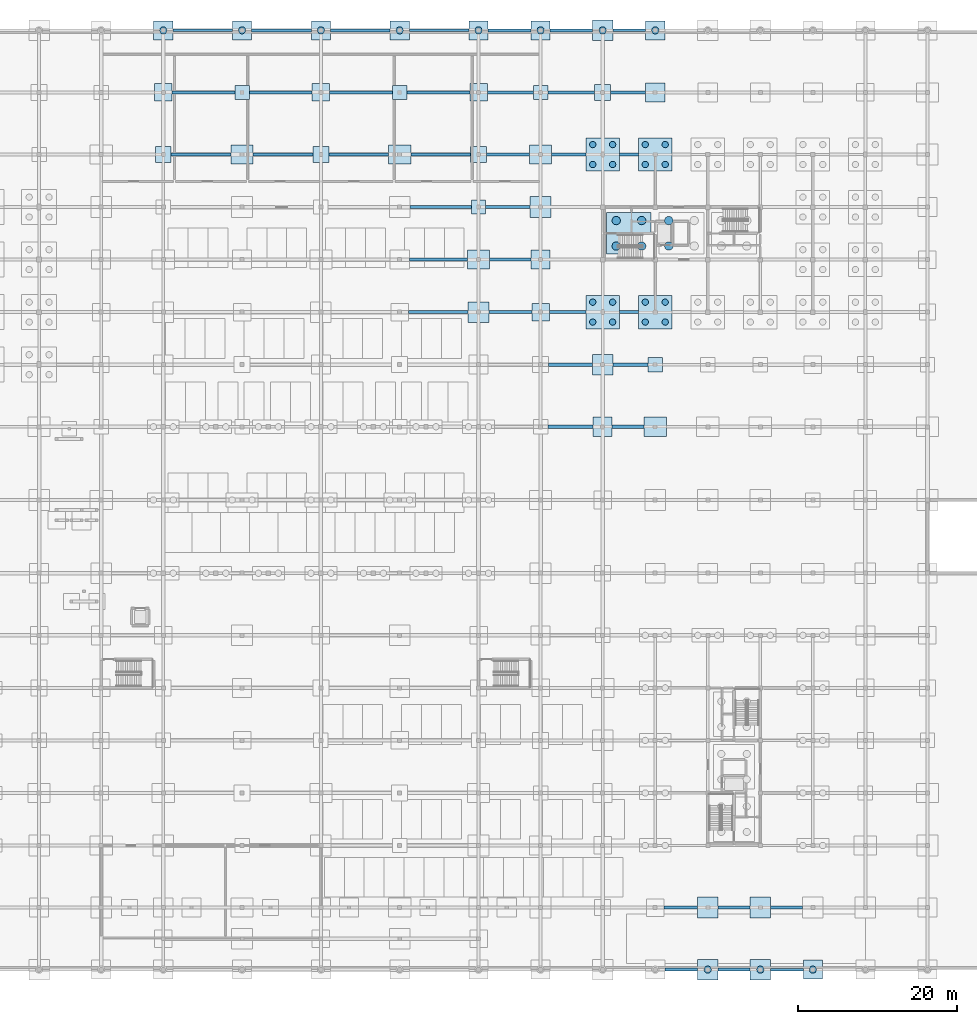
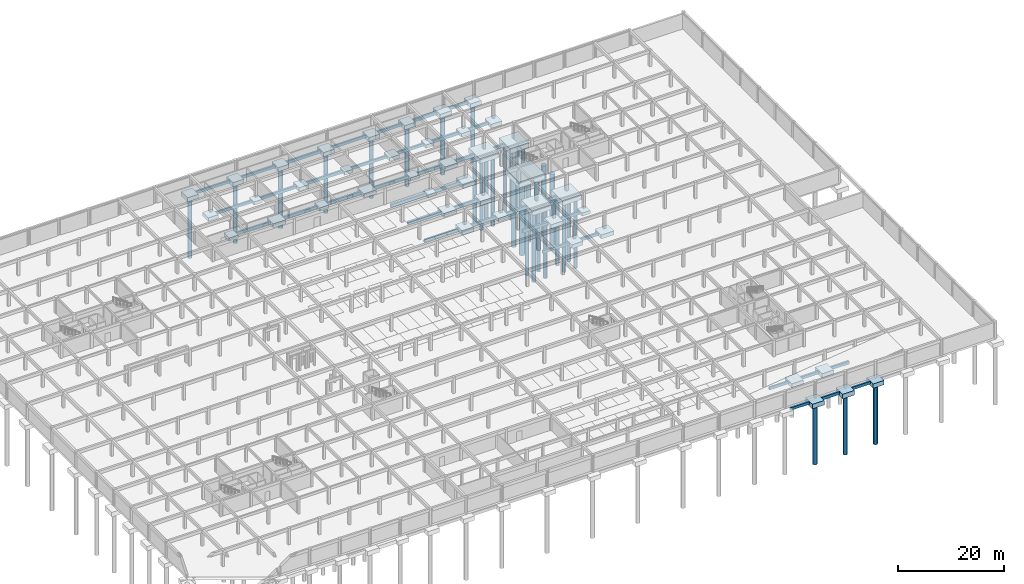
# One storey, part 7 of 37: 81 footings, 33 piles.
"""IFC4 building model written with IfcOpenShell, lengths in metres."""

from ifc_helpers import new_model, si_unit, direction, frame, origin, origin_2d, place, context, subcontext, project, spatial, rectangle, circle, extrude, material, material_profile, profile_set, type_object, element, save


model = new_model("IFC4")

# Units and contexts
model_context = context("Model", 3, precision=1e-05, world=origin(), true_north=direction((0.0, 1.0)))
body_context = subcontext(model_context, "Body", "Model", "MODEL_VIEW")
ifc_project = project(units=[si_unit("LENGTHUNIT", "METRE"), si_unit("AREAUNIT", "SQUARE_METRE"), si_unit("VOLUMEUNIT", "CUBIC_METRE"), si_unit("PLANEANGLEUNIT", "RADIAN"), si_unit("MASSUNIT", "GRAM", prefix="KILO")], contexts=[model_context])

# Site, building, storey
site_placement = place(None, origin())
site = spatial("IfcSite", under=ifc_project, at=site_placement, CompositionType="ELEMENT")
building_placement = place(site_placement, origin())
building = spatial("IfcBuilding", under=site, at=building_placement, Name="Kernevlak Ridge Housing Community", CompositionType="ELEMENT")
storey_placement = place(building_placement, frame((0.0, 0.0, -3.800048828125)))
storey = spatial("IfcBuildingStorey", under=building, at=storey_placement, Name="B1", CompositionType="ELEMENT", Elevation=-3.800048828125)

# Piles
ifc_material = material(Name="Concrete C35/45", Category="concrete")
ifc_material_profile_1 = material_profile(ifc_material, circle(Radius=0.39990234375, at=origin_2d()), Name="BORED PILE 800")
ifc_profile_set_1 = profile_set([ifc_material_profile_1], Name="Concrete C35/45")
pile_type_1 = type_object("IfcPileType", Name="BP-01", PredefinedType="BORED", material=ifc_profile_set_1)
for number, where, z_axis, x_axis, name in (
    (1, (118.14990234375, 81.35009765625, -1.550048828125), (0.0, 0.0, -1.0), (1.0, 0.0, 0.0), "Bored pile BP-01 PILE-0221"),
    (2, (120.64990234375, 81.35009765625, -1.550048828125), (0.0, 0.0, -1.0), (1.0, 0.0, 0.0), "Bored pile BP-01 PILE-0222"),
    (3, (118.14990234375, 83.85009765625, -1.550048828125), (0.0, 0.0, -1.0), (1.0, 0.0, 0.0), "Bored pile BP-01 PILE-0223"),
    (4, (120.64990234375, 83.85009765625, -1.550048828125), (0.0, 0.0, -1.0), (1.0, 0.0, 0.0), "Bored pile BP-01 PILE-0224"),
    (5, (118.14990234375, 101.14990234375, -1.550048828125), (0.0, 0.0, -1.0), (1.0, 0.0, 0.0), "Bored pile BP-01 PILE-0225"),
    (6, (120.64990234375, 101.14990234375, -1.550048828125), (0.0, 0.0, -1.0), (1.0, 0.0, 0.0), "Bored pile BP-01 PILE-0226"),
    (7, (118.14990234375, 103.64990234375, -1.550048828125), (0.0, 0.0, -1.0), (1.0, 0.0, 0.0), "Bored pile BP-01 PILE-0227"),
    (8, (120.64990234375, 103.64990234375, -1.550048828125), (0.0, 0.0, -1.0), (1.0, 0.0, 0.0), "Bored pile BP-01 PILE-0228"),
    (9, (124.75, 81.35009765625, -1.550048828125), (0.0, 0.0, -1.0), (1.0, 0.0, 0.0), "Bored pile BP-01 PILE-0241"),
    (10, (127.25, 81.35009765625, -1.550048828125), (0.0, 0.0, -1.0), (1.0, 0.0, 0.0), "Bored pile BP-01 PILE-0242"),
    (11, (124.75, 83.85009765625, -1.550048828125), (0.0, 0.0, -1.0), (1.0, 0.0, 0.0), "Bored pile BP-01 PILE-0243"),
    (12, (127.25, 83.85009765625, -1.550048828125), (0.0, 0.0, -1.0), (1.0, 0.0, 0.0), "Bored pile BP-01 PILE-0244"),
    (13, (124.75, 101.14990234375, -1.550048828125), (0.0, 0.0, -1.0), (1.0, 0.0, 0.0), "Bored pile BP-01 PILE-0245"),
    (14, (127.25, 101.14990234375, -1.550048828125), (0.0, 0.0, -1.0), (1.0, 0.0, 0.0), "Bored pile BP-01 PILE-0246"),
    (15, (124.75, 103.64990234375, -1.550048828125), (0.0, 0.0, -1.0), (1.0, 0.0, 0.0), "Bored pile BP-01 PILE-0247"),
    (16, (127.25, 103.64990234375, -1.550048828125), (0.0, 0.0, -1.0), (1.0, 0.0, 0.0), "Bored pile BP-01 PILE-0248"),
):
    element("IfcPile", number, at=place(storey_placement, frame(where, z_axis=z_axis, x_axis=x_axis)), inside=storey, type_object=pile_type_1, Name=name, PredefinedType="BORED", context=body_context, shape_type="SweptSolid", body=[
        extrude(circle(Radius=0.39990234375, at=origin_2d()), origin(), (0.0, 0.0, 1.0), 16.0),
    ])
ifc_material_profile_2 = material_profile(ifc_material, circle(Radius=0.449951171875, at=origin_2d()), Name="BORED PILE 900")
ifc_profile_set_2 = profile_set([ifc_material_profile_2], Name="Concrete C35/45")
pile_type_2 = type_object("IfcPileType", Name="BP-02", PredefinedType="BORED", material=ifc_profile_set_2)
for number, where, z_axis, x_axis, name in (
    (17, (64.199951171875, 118.0, -1.349853515625), (0.0, 0.0, -1.0), (1.0, 0.0, 0.0), "Bored pile BP-02 PILE-0177"),
    (18, (74.10009765625, 118.0, -1.349853515625), (0.0, 0.0, -1.0), (1.0, 0.0, 0.0), "Bored pile BP-02 PILE-0185"),
    (19, (84.0, 118.0, -1.349853515625), (0.0, 0.0, -1.0), (1.0, 0.0, 0.0), "Bored pile BP-02 PILE-0197"),
    (20, (93.89990234375, 118.0, -1.349853515625), (0.0, 0.0, -1.0), (1.0, 0.0, 0.0), "Bored pile BP-02 PILE-0205"),
    (21, (103.800048828125, 118.0, -1.349853515625), (0.0, 0.0, -1.0), (1.0, 0.0, 0.0), "Bored pile BP-02 PILE-0217"),
    (22, (111.60009765625, 118.0, -1.349853515625), (0.0, 0.0, -1.0), (1.0, 0.0, 0.0), "Bored pile BP-02 PILE-0219"),
    (23, (119.39990234375, 118.0, -1.39990234375), (0.0, 0.0, -1.0), (1.0, 0.0, 0.0), "Bored pile BP-02 PILE-0229"),
    (24, (126.0, 118.0, -1.349853515625), (0.0, 0.0, -1.0), (1.0, 0.0, 0.0), "Bored pile BP-02 PILE-0249"),
    (25, (132.60009765625, 0.0, -1.39990234375), (0.0, 0.0, -1.0), (1.0, 0.0, 0.0), "Bored pile BP-02 PILE-0250"),
    (26, (139.199951171875, 0.0, -1.39990234375), (0.0, 0.0, -1.0), (1.0, 0.0, 0.0), "Bored pile BP-02 PILE-0262"),
    (27, (145.800048828125, 0.0, -1.349853515625), (0.0, 0.0, -1.0), (1.0, 0.0, 0.0), "Bored pile BP-02 PILE-0274"),
):
    element("IfcPile", number, at=place(storey_placement, frame(where, z_axis=z_axis, x_axis=x_axis)), inside=storey, type_object=pile_type_2, Name=name, PredefinedType="BORED", context=body_context, shape_type="SweptSolid", body=[
        extrude(circle(Radius=0.449951171875, at=origin_2d()), origin(), (0.0, 0.0, 1.0), 14.0),
    ])
ifc_material_profile_3 = material_profile(ifc_material, circle(Radius=0.52490234375, at=origin_2d()), Name="BORED PILE 1050")
ifc_profile_set_3 = profile_set([ifc_material_profile_3], Name="Concrete C35/45")
pile_type_3 = type_object("IfcPileType", Name="BP-03", PredefinedType="BORED", material=ifc_profile_set_3)
for number, where, z_axis, x_axis, name in (
    (28, (121.10009765625, 90.89990234375, -1.64990234375), (0.0, 0.0, -1.0), (1.0, 0.0, 0.0), "Bored pile BP-03 PILE-0013"),
    (29, (124.300048828125, 90.89990234375, -1.64990234375), (0.0, 0.0, -1.0), (1.0, 0.0, 0.0), "Bored pile BP-03 PILE-0014"),
    (30, (121.10009765625, 94.10009765625, -1.64990234375), (0.0, 0.0, -1.0), (1.0, 0.0, 0.0), "Bored pile BP-03 PILE-0015"),
    (31, (124.300048828125, 94.10009765625, -1.64990234375), (0.0, 0.0, -1.0), (1.0, 0.0, 0.0), "Bored pile BP-03 PILE-0016"),
    (32, (127.699951171875, 90.89990234375, -1.64990234375), (0.0, 0.0, -1.0), (1.0, 0.0, 0.0), "Bored pile BP-03 PILE-0017"),
    (33, (127.699951171875, 94.10009765625, -1.64990234375), (0.0, 0.0, -1.0), (1.0, 0.0, 0.0), "Bored pile BP-03 PILE-0019"),
):
    element("IfcPile", number, at=place(storey_placement, frame(where, z_axis=z_axis, x_axis=x_axis)), inside=storey, type_object=pile_type_3, Name=name, PredefinedType="BORED", context=body_context, shape_type="SweptSolid", body=[
        extrude(circle(Radius=0.52490234375, at=origin_2d()), origin(), (0.0, 0.0, 1.0), 16.5),
    ])

# Footings
ifc_material_profile_4 = material_profile(ifc_material, rectangle(XDim=0.39990234375, YDim=0.699951171875, at=origin_2d()), Name="RC 400x700")
ifc_profile_set_4 = profile_set([ifc_material_profile_4], Name="Concrete C35/45")
footing_type_1 = type_object("IfcFootingType", Name="FB-01", PredefinedType="FOOTING_BEAM", material=ifc_profile_set_4)
for number, where, z_axis, x_axis, name in (
    (34, (133.89990234375, 0.0, -0.800048828125), (1.0, 0.0, 0.0), (0.0, 1.0, 0.0), "Ground tie beam FB-01 18"),
    (35, (140.5, 7.800048828125, -0.800048828125), (1.0, 0.0, 0.0), (0.0, 1.0, 0.0), "Ground tie beam FB-01 39"),
    (36, (120.60009765625, 68.199951171875, -0.800048828125), (1.0, 0.0, 0.0), (0.0, 1.0, 0.0), "Ground tie beam FB-01 183"),
):
    element("IfcFooting", number, at=place(storey_placement, frame(where, z_axis=z_axis, x_axis=x_axis)), inside=storey, type_object=footing_type_1, Name=name, PredefinedType="FOOTING_BEAM", context=body_context, shape_type="SweptSolid", body=[
        extrude(rectangle(XDim=0.39990234375, YDim=0.699951171875, at=origin_2d()), origin(), (0.0, 0.0, 1.0), 4.0),
    ])
footing_1_placement = place(storey_placement, frame((120.699951171875, 76.0, -0.800048828125), z_axis=(1.0, 0.0, 0.0), x_axis=(0.0, 1.0, 0.0)))
element("IfcFooting", 37, at=footing_1_placement, inside=storey, type_object=footing_type_1, Name="Ground tie beam FB-01 204", PredefinedType="FOOTING_BEAM", context=body_context, shape_type="SweptSolid", body=[
    extrude(rectangle(XDim=0.39990234375, YDim=0.699951171875, at=origin_2d()), origin(), (0.0, 0.0, 1.0), 4.400146484375),
])
footing_2_placement = place(storey_placement, frame((112.699951171875, 82.60009765625, -0.800048828125), z_axis=(1.0, 0.0, 0.0), x_axis=(0.0, 1.0, 0.0)))
element("IfcFooting", 38, at=footing_2_placement, inside=storey, type_object=footing_type_1, Name="Ground tie beam FB-01 219", PredefinedType="FOOTING_BEAM", context=body_context, shape_type="SweptSolid", body=[
    extrude(rectangle(XDim=0.39990234375, YDim=0.699951171875, at=origin_2d()), origin(), (0.0, 0.0, 1.0), 4.60009765625),
])
footing_3_placement = place(storey_placement, frame((105.199951171875, 89.199951171875, -0.800048828125), z_axis=(1.0, 0.0, 0.0), x_axis=(0.0, 1.0, 0.0)))
element("IfcFooting", 39, at=footing_3_placement, inside=storey, type_object=footing_type_1, Name="Ground tie beam FB-01 234", PredefinedType="FOOTING_BEAM", context=body_context, shape_type="SweptSolid", body=[
    extrude(rectangle(XDim=0.39990234375, YDim=0.699951171875, at=origin_2d()), origin(), (0.0, 0.0, 1.0), 5.199951171875),
])
footing_4_placement = place(storey_placement, frame((95.199951171875, 95.800048828125, -0.800048828125), z_axis=(1.0, 0.0, 0.0), x_axis=(0.0, 1.0, 0.0)))
element("IfcFooting", 40, at=footing_4_placement, inside=storey, type_object=footing_type_1, Name="Ground tie beam FB-01 249", PredefinedType="FOOTING_BEAM", context=body_context, shape_type="SweptSolid", body=[
    extrude(rectangle(XDim=0.39990234375, YDim=0.699951171875, at=origin_2d()), origin(), (0.0, 0.0, 1.0), 7.699951171875),
])
footing_5_placement = place(storey_placement, frame((85.0, 102.39990234375, -0.800048828125), z_axis=(1.0, 0.0, 0.0), x_axis=(0.0, 1.0, 0.0)))
element("IfcFooting", 41, at=footing_5_placement, inside=storey, type_object=footing_type_1, Name="Ground tie beam FB-01 264", PredefinedType="FOOTING_BEAM", context=body_context, shape_type="SweptSolid", body=[
    extrude(rectangle(XDim=0.39990234375, YDim=0.699951171875, at=origin_2d()), origin(), (0.0, 0.0, 1.0), 7.5),
])
footing_6_placement = place(storey_placement, frame((113.0, 102.39990234375, -0.800048828125), z_axis=(1.0, 0.0, 0.0), x_axis=(0.0, 1.0, 0.0)))
element("IfcFooting", 42, at=footing_6_placement, inside=storey, type_object=footing_type_1, Name="Ground tie beam FB-01 267", PredefinedType="FOOTING_BEAM", context=body_context, shape_type="SweptSolid", body=[
    extrude(rectangle(XDim=0.39990234375, YDim=0.699951171875, at=origin_2d()), origin(), (0.0, 0.0, 1.0), 4.300048828125),
])
footing_7_placement = place(storey_placement, frame((85.10009765625, 110.199951171875, -0.800048828125), z_axis=(1.0, 0.0, 0.0), x_axis=(0.0, 1.0, 0.0)))
element("IfcFooting", 43, at=footing_7_placement, inside=storey, type_object=footing_type_1, Name="Ground tie beam FB-01 285", PredefinedType="FOOTING_BEAM", context=body_context, shape_type="SweptSolid", body=[
    extrude(rectangle(XDim=0.39990234375, YDim=0.699951171875, at=origin_2d()), origin(), (0.0, 0.0, 1.0), 7.89990234375),
])
footing_8_placement = place(storey_placement, frame((112.5, 110.199951171875, -0.800048828125), z_axis=(1.0, 0.0, 0.0), x_axis=(0.0, 1.0, 0.0)))
element("IfcFooting", 44, at=footing_8_placement, inside=storey, type_object=footing_type_1, Name="Ground tie beam FB-01 288", PredefinedType="FOOTING_BEAM", context=body_context, shape_type="SweptSolid", body=[
    extrude(rectangle(XDim=0.39990234375, YDim=0.699951171875, at=origin_2d()), origin(), (0.0, 0.0, 1.0), 5.89990234375),
])
footing_9_placement = place(storey_placement, frame((85.199951171875, 118.0, -0.800048828125), z_axis=(1.0, 0.0, 0.0), x_axis=(0.0, 1.0, 0.0)))
element("IfcFooting", 45, at=footing_9_placement, inside=storey, type_object=footing_type_1, Name="Ground tie beam FB-01 306", PredefinedType="FOOTING_BEAM", context=body_context, shape_type="SweptSolid", body=[
    extrude(rectangle(XDim=0.39990234375, YDim=0.699951171875, at=origin_2d()), origin(), (0.0, 0.0, 1.0), 7.5),
])
footing_10_placement = place(storey_placement, frame((112.800048828125, 118.0, -0.800048828125), z_axis=(1.0, 0.0, 0.0), x_axis=(0.0, 1.0, 0.0)))
element("IfcFooting", 46, at=footing_10_placement, inside=storey, type_object=footing_type_1, Name="Ground tie beam FB-01 309", PredefinedType="FOOTING_BEAM", context=body_context, shape_type="SweptSolid", body=[
    extrude(rectangle(XDim=0.39990234375, YDim=0.699951171875, at=origin_2d()), origin(), (0.0, 0.0, 1.0), 5.300048828125),
])
ifc_material_profile_5 = material_profile(ifc_material, rectangle(XDim=0.35009765625, YDim=0.64990234375, at=origin_2d()), Name="RC 350x650")
ifc_profile_set_5 = profile_set([ifc_material_profile_5], Name="Concrete C35/45")
footing_type_2 = type_object("IfcFootingType", Name="FB-02", PredefinedType="FOOTING_BEAM", material=ifc_profile_set_5)
footing_11_placement = place(storey_placement, frame((140.5, 0.0, -0.77490234375), z_axis=(1.0, 0.0, 0.0), x_axis=(0.0, 1.0, 0.0)))
element("IfcFooting", 47, at=footing_11_placement, inside=storey, type_object=footing_type_2, Name="Ground tie beam FB-02 19", PredefinedType="FOOTING_BEAM", context=body_context, shape_type="SweptSolid", body=[
    extrude(rectangle(XDim=0.35009765625, YDim=0.64990234375, at=origin_2d()), origin(), (0.0, 0.0, 1.0), 4.10009765625),
])
footing_12_placement = place(storey_placement, frame((127.10009765625, 7.800048828125, -0.77490234375), z_axis=(1.0, 0.0, 0.0), x_axis=(0.0, 1.0, 0.0)))
element("IfcFooting", 48, at=footing_12_placement, inside=storey, type_object=footing_type_2, Name="Ground tie beam FB-02 37", PredefinedType="FOOTING_BEAM", context=body_context, shape_type="SweptSolid", body=[
    extrude(rectangle(XDim=0.35009765625, YDim=0.64990234375, at=origin_2d()), origin(), (0.0, 0.0, 1.0), 4.199951171875),
])
footing_13_placement = place(storey_placement, frame((95.0, 82.60009765625, -0.77490234375), z_axis=(1.0, 0.0, 0.0), x_axis=(0.0, 1.0, 0.0)))
element("IfcFooting", 49, at=footing_13_placement, inside=storey, type_object=footing_type_2, Name="Ground tie beam FB-02 217", PredefinedType="FOOTING_BEAM", context=body_context, shape_type="SweptSolid", body=[
    extrude(rectangle(XDim=0.35009765625, YDim=0.64990234375, at=origin_2d()), origin(), (0.0, 0.0, 1.0), 7.5),
])
footing_14_placement = place(storey_placement, frame((121.5, 82.60009765625, -0.77490234375), z_axis=(1.0, 0.0, 0.0), x_axis=(0.0, 1.0, 0.0)))
element("IfcFooting", 50, at=footing_14_placement, inside=storey, type_object=footing_type_2, Name="Ground tie beam FB-02 220", PredefinedType="FOOTING_BEAM", context=body_context, shape_type="SweptSolid", body=[
    extrude(rectangle(XDim=0.35009765625, YDim=0.64990234375, at=origin_2d()), origin(), (0.0, 0.0, 1.0), 2.39990234375),
])
footing_15_placement = place(storey_placement, frame((104.699951171875, 95.800048828125, -0.77490234375), z_axis=(1.0, 0.0, 0.0), x_axis=(0.0, 1.0, 0.0)))
element("IfcFooting", 51, at=footing_15_placement, inside=storey, type_object=footing_type_2, Name="Ground tie beam FB-02 250", PredefinedType="FOOTING_BEAM", context=body_context, shape_type="SweptSolid", body=[
    extrude(rectangle(XDim=0.35009765625, YDim=0.64990234375, at=origin_2d()), origin(), (0.0, 0.0, 1.0), 5.60009765625),
])
for number, where, z_axis, x_axis, name in (
    (52, (65.199951171875, 102.39990234375, -0.77490234375), (1.0, 0.0, 0.0), (0.0, 1.0, 0.0), "Ground tie beam FB-02 262"),
    (53, (95.300048828125, 102.39990234375, -0.77490234375), (1.0, 0.0, 0.0), (0.0, 1.0, 0.0), "Ground tie beam FB-02 265"),
):
    element("IfcFooting", number, at=place(storey_placement, frame(where, z_axis=z_axis, x_axis=x_axis)), inside=storey, type_object=footing_type_2, Name=name, PredefinedType="FOOTING_BEAM", context=body_context, shape_type="SweptSolid", body=[
        extrude(rectangle(XDim=0.35009765625, YDim=0.64990234375, at=origin_2d()), origin(), (0.0, 0.0, 1.0), 7.5),
    ])
footing_16_placement = place(storey_placement, frame((121.5, 102.39990234375, -0.77490234375), z_axis=(1.0, 0.0, 0.0), x_axis=(0.0, 1.0, 0.0)))
element("IfcFooting", 54, at=footing_16_placement, inside=storey, type_object=footing_type_2, Name="Ground tie beam FB-02 268", PredefinedType="FOOTING_BEAM", context=body_context, shape_type="SweptSolid", body=[
    extrude(rectangle(XDim=0.35009765625, YDim=0.64990234375, at=origin_2d()), origin(), (0.0, 0.0, 1.0), 2.39990234375),
])
for number, where, z_axis, x_axis, name in (
    (55, (65.300048828125, 110.199951171875, -0.77490234375), (1.0, 0.0, 0.0), (0.0, 1.0, 0.0), "Ground tie beam FB-02 283"),
    (56, (94.800048828125, 110.199951171875, -0.77490234375), (1.0, 0.0, 0.0), (0.0, 1.0, 0.0), "Ground tie beam FB-02 286"),
):
    element("IfcFooting", number, at=place(storey_placement, frame(where, z_axis=z_axis, x_axis=x_axis)), inside=storey, type_object=footing_type_2, Name=name, PredefinedType="FOOTING_BEAM", context=body_context, shape_type="SweptSolid", body=[
        extrude(rectangle(XDim=0.35009765625, YDim=0.64990234375, at=origin_2d()), origin(), (0.0, 0.0, 1.0), 7.89990234375),
    ])
footing_17_placement = place(storey_placement, frame((120.39990234375, 110.199951171875, -0.77490234375), z_axis=(1.0, 0.0, 0.0), x_axis=(0.0, 1.0, 0.0)))
element("IfcFooting", 57, at=footing_17_placement, inside=storey, type_object=footing_type_2, Name="Ground tie beam FB-02 289", PredefinedType="FOOTING_BEAM", context=body_context, shape_type="SweptSolid", body=[
    extrude(rectangle(XDim=0.35009765625, YDim=0.64990234375, at=origin_2d()), origin(), (0.0, 0.0, 1.0), 4.400146484375),
])
for number, where, z_axis, x_axis, name in (
    (58, (65.39990234375, 118.0, -0.77490234375), (1.0, 0.0, 0.0), (0.0, 1.0, 0.0), "Ground tie beam FB-02 304"),
    (59, (95.10009765625, 118.0, -0.77490234375), (1.0, 0.0, 0.0), (0.0, 1.0, 0.0), "Ground tie beam FB-02 307"),
):
    element("IfcFooting", number, at=place(storey_placement, frame(where, z_axis=z_axis, x_axis=x_axis)), inside=storey, type_object=footing_type_2, Name=name, PredefinedType="FOOTING_BEAM", context=body_context, shape_type="SweptSolid", body=[
        extrude(rectangle(XDim=0.35009765625, YDim=0.64990234375, at=origin_2d()), origin(), (0.0, 0.0, 1.0), 7.5),
    ])
footing_18_placement = place(storey_placement, frame((120.699951171875, 118.0, -0.77490234375), z_axis=(1.0, 0.0, 0.0), x_axis=(0.0, 1.0, 0.0)))
element("IfcFooting", 60, at=footing_18_placement, inside=storey, type_object=footing_type_2, Name="Ground tie beam FB-02 310", PredefinedType="FOOTING_BEAM", context=body_context, shape_type="SweptSolid", body=[
    extrude(rectangle(XDim=0.35009765625, YDim=0.64990234375, at=origin_2d()), origin(), (0.0, 0.0, 1.0), 4.10009765625),
])
ifc_material_profile_6 = material_profile(ifc_material, rectangle(XDim=0.39990234375, YDim=0.64990234375, at=origin_2d()), Name="RC 400x650")
ifc_profile_set_6 = profile_set([ifc_material_profile_6], Name="Concrete C35/45")
footing_type_3 = type_object("IfcFootingType", Name="FB-03", PredefinedType="FOOTING_BEAM", material=ifc_profile_set_6)
footing_19_placement = place(storey_placement, frame((127.199951171875, 0.0, -0.77490234375), z_axis=(1.0, 0.0, 0.0), x_axis=(0.0, 1.0, 0.0)))
element("IfcFooting", 61, at=footing_19_placement, inside=storey, type_object=footing_type_3, Name="Ground tie beam FB-03 17", PredefinedType="FOOTING_BEAM", context=body_context, shape_type="SweptSolid", body=[
    extrude(rectangle(XDim=0.39990234375, YDim=0.64990234375, at=origin_2d()), origin(), (0.0, 0.0, 1.0), 4.10009765625),
])
footing_20_placement = place(storey_placement, frame((133.89990234375, 7.800048828125, -0.77490234375), z_axis=(1.0, 0.0, 0.0), x_axis=(0.0, 1.0, 0.0)))
element("IfcFooting", 62, at=footing_20_placement, inside=storey, type_object=footing_type_3, Name="Ground tie beam FB-03 38", PredefinedType="FOOTING_BEAM", context=body_context, shape_type="SweptSolid", body=[
    extrude(rectangle(XDim=0.39990234375, YDim=0.64990234375, at=origin_2d()), origin(), (0.0, 0.0, 1.0), 4.0),
])
footing_21_placement = place(storey_placement, frame((112.5, 68.199951171875, -0.77490234375), z_axis=(1.0, 0.0, 0.0), x_axis=(0.0, 1.0, 0.0)))
element("IfcFooting", 63, at=footing_21_placement, inside=storey, type_object=footing_type_3, Name="Ground tie beam FB-03 182", PredefinedType="FOOTING_BEAM", context=body_context, shape_type="SweptSolid", body=[
    extrude(rectangle(XDim=0.39990234375, YDim=0.64990234375, at=origin_2d()), origin(), (0.0, 0.0, 1.0), 5.699951171875),
])
footing_22_placement = place(storey_placement, frame((112.60009765625, 76.0, -0.77490234375), z_axis=(1.0, 0.0, 0.0), x_axis=(0.0, 1.0, 0.0)))
element("IfcFooting", 64, at=footing_22_placement, inside=storey, type_object=footing_type_3, Name="Ground tie beam FB-03 203", PredefinedType="FOOTING_BEAM", context=body_context, shape_type="SweptSolid", body=[
    extrude(rectangle(XDim=0.39990234375, YDim=0.64990234375, at=origin_2d()), origin(), (0.0, 0.0, 1.0), 5.5),
])
footing_23_placement = place(storey_placement, frame((105.10009765625, 82.60009765625, -0.77490234375), z_axis=(1.0, 0.0, 0.0), x_axis=(0.0, 1.0, 0.0)))
element("IfcFooting", 65, at=footing_23_placement, inside=storey, type_object=footing_type_3, Name="Ground tie beam FB-03 218", PredefinedType="FOOTING_BEAM", context=body_context, shape_type="SweptSolid", body=[
    extrude(rectangle(XDim=0.39990234375, YDim=0.64990234375, at=origin_2d()), origin(), (0.0, 0.0, 1.0), 5.39990234375),
])
footing_24_placement = place(storey_placement, frame((95.10009765625, 89.199951171875, -0.77490234375), z_axis=(1.0, 0.0, 0.0), x_axis=(0.0, 1.0, 0.0)))
element("IfcFooting", 66, at=footing_24_placement, inside=storey, type_object=footing_type_3, Name="Ground tie beam FB-03 233", PredefinedType="FOOTING_BEAM", context=body_context, shape_type="SweptSolid", body=[
    extrude(rectangle(XDim=0.39990234375, YDim=0.64990234375, at=origin_2d()), origin(), (0.0, 0.0, 1.0), 7.2998046875),
])
footing_25_placement = place(storey_placement, frame((75.5, 102.39990234375, -0.77490234375), z_axis=(1.0, 0.0, 0.0), x_axis=(0.0, 1.0, 0.0)))
element("IfcFooting", 67, at=footing_25_placement, inside=storey, type_object=footing_type_3, Name="Ground tie beam FB-03 263", PredefinedType="FOOTING_BEAM", context=body_context, shape_type="SweptSolid", body=[
    extrude(rectangle(XDim=0.39990234375, YDim=0.64990234375, at=origin_2d()), origin(), (0.0, 0.0, 1.0), 7.5),
])
footing_26_placement = place(storey_placement, frame((104.800048828125, 102.39990234375, -0.77490234375), z_axis=(1.0, 0.0, 0.0), x_axis=(0.0, 1.0, 0.0)))
element("IfcFooting", 68, at=footing_26_placement, inside=storey, type_object=footing_type_3, Name="Ground tie beam FB-03 266", PredefinedType="FOOTING_BEAM", context=body_context, shape_type="SweptSolid", body=[
    extrude(rectangle(XDim=0.39990234375, YDim=0.64990234375, at=origin_2d()), origin(), (0.0, 0.0, 1.0), 5.39990234375),
])
footing_27_placement = place(storey_placement, frame((75.0, 110.199951171875, -0.77490234375), z_axis=(1.0, 0.0, 0.0), x_axis=(0.0, 1.0, 0.0)))
element("IfcFooting", 69, at=footing_27_placement, inside=storey, type_object=footing_type_3, Name="Ground tie beam FB-03 284", PredefinedType="FOOTING_BEAM", context=body_context, shape_type="SweptSolid", body=[
    extrude(rectangle(XDim=0.39990234375, YDim=0.64990234375, at=origin_2d()), origin(), (0.0, 0.0, 1.0), 7.89990234375),
])
footing_28_placement = place(storey_placement, frame((104.89990234375, 110.199951171875, -0.77490234375), z_axis=(1.0, 0.0, 0.0), x_axis=(0.0, 1.0, 0.0)))
element("IfcFooting", 70, at=footing_28_placement, inside=storey, type_object=footing_type_3, Name="Ground tie beam FB-03 287", PredefinedType="FOOTING_BEAM", context=body_context, shape_type="SweptSolid", body=[
    extrude(rectangle(XDim=0.39990234375, YDim=0.64990234375, at=origin_2d()), origin(), (0.0, 0.0, 1.0), 5.800048828125),
])
footing_29_placement = place(storey_placement, frame((75.300048828125, 118.0, -0.77490234375), z_axis=(1.0, 0.0, 0.0), x_axis=(0.0, 1.0, 0.0)))
element("IfcFooting", 71, at=footing_29_placement, inside=storey, type_object=footing_type_3, Name="Ground tie beam FB-03 305", PredefinedType="FOOTING_BEAM", context=body_context, shape_type="SweptSolid", body=[
    extrude(rectangle(XDim=0.39990234375, YDim=0.64990234375, at=origin_2d()), origin(), (0.0, 0.0, 1.0), 7.5),
])
footing_30_placement = place(storey_placement, frame((105.0, 118.0, -0.77490234375), z_axis=(1.0, 0.0, 0.0), x_axis=(0.0, 1.0, 0.0)))
element("IfcFooting", 72, at=footing_30_placement, inside=storey, type_object=footing_type_3, Name="Ground tie beam FB-03 308", PredefinedType="FOOTING_BEAM", context=body_context, shape_type="SweptSolid", body=[
    extrude(rectangle(XDim=0.39990234375, YDim=0.64990234375, at=origin_2d()), origin(), (0.0, 0.0, 1.0), 5.39990234375),
])
footing_type_4 = type_object("IfcFootingType", Name="FC-01", PredefinedType="PILE_CAP", material=ifc_material)
for number, where, z_axis, x_axis, name in (
    (73, (64.199951171875, 118.0, -1.449951171875), (0.0, 0.0, 1.0), (1.0, 0.0, 0.0), "Footing FC-01 FTG-CAP-173"),
    (74, (74.10009765625, 118.0, -1.449951171875), (0.0, 0.0, 1.0), (1.0, 0.0, 0.0), "Footing FC-01 FTG-CAP-193"),
    (75, (84.0, 118.0, -1.449951171875), (0.0, 0.0, 1.0), (1.0, 0.0, 0.0), "Footing FC-01 FTG-CAP-214"),
    (76, (93.89990234375, 118.0, -1.449951171875), (0.0, 0.0, 1.0), (1.0, 0.0, 0.0), "Footing FC-01 FTG-CAP-234"),
    (77, (103.800048828125, 118.0, -1.449951171875), (0.0, 0.0, 1.0), (1.0, 0.0, 0.0), "Footing FC-01 FTG-CAP-255"),
    (78, (111.60009765625, 118.0, -1.449951171875), (0.0, 0.0, 1.0), (1.0, 0.0, 0.0), "Footing FC-01 FTG-CAP-273"),
    (79, (126.0, 118.0, -1.449951171875), (0.0, 0.0, 1.0), (1.0, 0.0, 0.0), "Footing FC-01 FTG-CAP-303"),
    (80, (145.800048828125, 0.0, -1.449951171875), (0.0, 0.0, 1.0), (1.0, 0.0, 0.0), "Footing FC-01 FTG-CAP-326"),
):
    element("IfcFooting", number, at=place(storey_placement, frame(where, z_axis=z_axis, x_axis=x_axis)), inside=storey, type_object=footing_type_4, Name=name, PredefinedType="PILE_CAP", context=body_context, shape_type="SweptSolid", body=[
        extrude(rectangle(XDim=2.39990234375, YDim=2.39990234375, at=origin_2d()), origin(), (0.0, 0.0, 1.0), 1.0),
    ])
footing_type_5 = type_object("IfcFootingType", Name="FC-03", PredefinedType="PILE_CAP", material=ifc_material)
for number, where, z_axis, x_axis, name in (
    (81, (119.39990234375, 82.60009765625, -1.64990234375), (0.0, 0.0, 1.0), (1.0, 0.0, 0.0), "Footing FC-03 FTG-CAP-285"),
    (82, (119.39990234375, 102.39990234375, -1.64990234375), (0.0, 0.0, 1.0), (1.0, 0.0, 0.0), "Footing FC-03 FTG-CAP-286"),
    (83, (126.0, 82.60009765625, -1.64990234375), (0.0, 0.0, 1.0), (1.0, 0.0, 0.0), "Footing FC-03 FTG-CAP-300"),
    (84, (126.0, 102.39990234375, -1.64990234375), (0.0, 0.0, 1.0), (1.0, 0.0, 0.0), "Footing FC-03 FTG-CAP-301"),
):
    element("IfcFooting", number, at=place(storey_placement, frame(where, z_axis=z_axis, x_axis=x_axis)), inside=storey, type_object=footing_type_5, Name=name, PredefinedType="PILE_CAP", context=body_context, shape_type="SweptSolid", body=[
        extrude(rectangle(XDim=4.199951171875, YDim=4.199951171875, at=origin_2d()), origin(), (0.0, 0.0, 1.0), 1.199951171875),
    ])
footing_type_6 = type_object("IfcFootingType", Name="FC-05", PredefinedType="PILE_CAP", material=ifc_material)
footing_31_placement = place(storey_placement, frame((122.699951171875, 92.5, -1.75), z_axis=(0.0, 0.0, 1.0), x_axis=(1.0, 0.0, 0.0)))
element("IfcFooting", 85, at=footing_31_placement, inside=storey, type_object=footing_type_6, Name="Footing FC-05 FTG-CAP-004", PredefinedType="PILE_CAP", context=body_context, shape_type="SweptSolid", body=[
    extrude(rectangle(XDim=5.60009765625, YDim=5.199951171875, at=origin_2d()), origin(), (0.0, 0.0, 1.0), 1.300048828125),
])
footing_type_7 = type_object("IfcFootingType", Name="FC-08", PredefinedType="PILE_CAP", material=ifc_material)
for number, where, z_axis, x_axis, name in (
    (86, (119.39990234375, 118.0, -1.5), (0.0, 0.0, 1.0), (1.0, 0.0, 0.0), "Footing FC-08 FTG-CAP-288"),
    (87, (132.60009765625, 0.0, -1.5), (0.0, 0.0, 1.0), (1.0, 0.0, 0.0), "Footing FC-08 FTG-CAP-304"),
    (88, (139.199951171875, 0.0, -1.5), (0.0, 0.0, 1.0), (1.0, 0.0, 0.0), "Footing FC-08 FTG-CAP-315"),
):
    element("IfcFooting", number, at=place(storey_placement, frame(where, z_axis=z_axis, x_axis=x_axis)), inside=storey, type_object=footing_type_7, Name=name, PredefinedType="PILE_CAP", context=body_context, shape_type="SweptSolid", body=[
        extrude(rectangle(XDim=2.60009765625, YDim=2.60009765625, at=origin_2d()), origin(), (0.0, 0.0, 1.0), 1.050048828125),
    ])
footing_type_8 = type_object("IfcFootingType", Name="PF-01", PredefinedType="PAD_FOOTING", material=ifc_material)
for number, where, z_axis, x_axis, name in (
    (89, (74.10009765625, 110.199951171875, -1.199951171875), (0.0, 0.0, 1.0), (1.0, 0.0, 0.0), "Footing PF-01 FTG-CAP-192"),
    (90, (93.89990234375, 110.199951171875, -1.199951171875), (0.0, 0.0, 1.0), (1.0, 0.0, 0.0), "Footing PF-01 FTG-CAP-233"),
    (91, (103.800048828125, 95.800048828125, -1.199951171875), (0.0, 0.0, 1.0), (1.0, 0.0, 0.0), "Footing PF-01 FTG-CAP-252"),
    (92, (111.60009765625, 110.199951171875, -1.199951171875), (0.0, 0.0, 1.0), (1.0, 0.0, 0.0), "Footing PF-01 FTG-CAP-272"),
    (93, (126.0, 76.0, -1.199951171875), (0.0, 0.0, 1.0), (1.0, 0.0, 0.0), "Footing PF-01 FTG-CAP-299"),
):
    element("IfcFooting", number, at=place(storey_placement, frame(where, z_axis=z_axis, x_axis=x_axis)), inside=storey, type_object=footing_type_8, Name=name, PredefinedType="PAD_FOOTING", context=body_context, shape_type="SweptSolid", body=[
        extrude(rectangle(XDim=1.800048828125, YDim=1.800048828125, at=origin_2d()), origin(), (0.0, 0.0, 1.0), 0.75),
    ])
footing_type_9 = type_object("IfcFootingType", Name="PF-02", PredefinedType="PAD_FOOTING", material=ifc_material)
for number, where, z_axis, x_axis, name in (
    (94, (64.199951171875, 102.39990234375, -1.25), (0.0, 0.0, 1.0), (1.0, 0.0, 0.0), "Footing PF-02 FTG-CAP-171"),
    (95, (84.0, 102.39990234375, -1.25), (0.0, 0.0, 1.0), (1.0, 0.0, 0.0), "Footing PF-02 FTG-CAP-212"),
    (96, (103.800048828125, 102.39990234375, -1.25), (0.0, 0.0, 1.0), (1.0, 0.0, 0.0), "Footing PF-02 FTG-CAP-253"),
    (97, (119.39990234375, 110.199951171875, -1.25), (0.0, 0.0, 1.0), (1.0, 0.0, 0.0), "Footing PF-02 FTG-CAP-287"),
):
    element("IfcFooting", number, at=place(storey_placement, frame(where, z_axis=z_axis, x_axis=x_axis)), inside=storey, type_object=footing_type_9, Name=name, PredefinedType="PAD_FOOTING", context=body_context, shape_type="SweptSolid", body=[
        extrude(rectangle(XDim=2.0, YDim=2.0, at=origin_2d()), origin(), (0.0, 0.0, 1.0), 0.800048828125),
    ])
footing_type_10 = type_object("IfcFootingType", Name="PF-03", PredefinedType="PAD_FOOTING", material=ifc_material)
for number, where, z_axis, x_axis, name in (
    (98, (64.199951171875, 110.199951171875, -1.300048828125), (0.0, 0.0, 1.0), (1.0, 0.0, 0.0), "Footing PF-03 FTG-CAP-172"),
    (99, (84.0, 110.199951171875, -1.300048828125), (0.0, 0.0, 1.0), (1.0, 0.0, 0.0), "Footing PF-03 FTG-CAP-213"),
    (100, (103.800048828125, 110.199951171875, -1.300048828125), (0.0, 0.0, 1.0), (1.0, 0.0, 0.0), "Footing PF-03 FTG-CAP-254"),
    (101, (111.60009765625, 82.60009765625, -1.300048828125), (0.0, 0.0, 1.0), (1.0, 0.0, 0.0), "Footing PF-03 FTG-CAP-268"),
):
    element("IfcFooting", number, at=place(storey_placement, frame(where, z_axis=z_axis, x_axis=x_axis)), inside=storey, type_object=footing_type_10, Name=name, PredefinedType="PAD_FOOTING", context=body_context, shape_type="SweptSolid", body=[
        extrude(rectangle(XDim=2.199951171875, YDim=2.199951171875, at=origin_2d()), origin(), (0.0, 0.0, 1.0), 0.85009765625),
    ])
footing_type_11 = type_object("IfcFootingType", Name="PF-04", PredefinedType="PAD_FOOTING", material=ifc_material)
for number, where, z_axis, x_axis, name in (
    (102, (111.60009765625, 89.199951171875, -1.349853515625), (0.0, 0.0, 1.0), (1.0, 0.0, 0.0), "Footing PF-04 FTG-CAP-269"),
    (103, (119.39990234375, 68.199951171875, -1.349853515625), (0.0, 0.0, 1.0), (1.0, 0.0, 0.0), "Footing PF-04 FTG-CAP-283"),
    (104, (126.0, 110.199951171875, -1.349853515625), (0.0, 0.0, 1.0), (1.0, 0.0, 0.0), "Footing PF-04 FTG-CAP-302"),
):
    element("IfcFooting", number, at=place(storey_placement, frame(where, z_axis=z_axis, x_axis=x_axis)), inside=storey, type_object=footing_type_11, Name=name, PredefinedType="PAD_FOOTING", context=body_context, shape_type="SweptSolid", body=[
        extrude(rectangle(XDim=2.39990234375, YDim=2.39990234375, at=origin_2d()), origin(), (0.0, 0.0, 1.0), 0.89990234375),
    ])
footing_type_12 = type_object("IfcFootingType", Name="PF-05", PredefinedType="PAD_FOOTING", material=ifc_material)
for number, where, z_axis, x_axis, name in (
    (105, (103.800048828125, 82.60009765625, -1.39990234375), (0.0, 0.0, 1.0), (1.0, 0.0, 0.0), "Footing PF-05 FTG-CAP-250"),
    (106, (111.60009765625, 95.800048828125, -1.39990234375), (0.0, 0.0, 1.0), (1.0, 0.0, 0.0), "Footing PF-05 FTG-CAP-270"),
    (107, (119.39990234375, 76.0, -1.39990234375), (0.0, 0.0, 1.0), (1.0, 0.0, 0.0), "Footing PF-05 FTG-CAP-284"),
    (108, (132.60009765625, 7.800048828125, -1.39990234375), (0.0, 0.0, 1.0), (1.0, 0.0, 0.0), "Footing PF-05 FTG-CAP-305"),
    (109, (139.199951171875, 7.800048828125, -1.39990234375), (0.0, 0.0, 1.0), (1.0, 0.0, 0.0), "Footing PF-05 FTG-CAP-316"),
):
    element("IfcFooting", number, at=place(storey_placement, frame(where, z_axis=z_axis, x_axis=x_axis)), inside=storey, type_object=footing_type_12, Name=name, PredefinedType="PAD_FOOTING", context=body_context, shape_type="SweptSolid", body=[
        extrude(rectangle(XDim=2.60009765625, YDim=2.60009765625, at=origin_2d()), origin(), (0.0, 0.0, 1.0), 0.949951171875),
    ])
footing_type_13 = type_object("IfcFootingType", Name="PF-06", PredefinedType="PAD_FOOTING", material=ifc_material)
for number, where, z_axis, x_axis, name in (
    (110, (74.10009765625, 102.39990234375, -1.349853515625), (0.0, 0.0, 1.0), (1.0, 0.0, 0.0), "Footing PF-06 FTG-CAP-191"),
    (111, (93.89990234375, 102.39990234375, -1.349853515625), (0.0, 0.0, 1.0), (1.0, 0.0, 0.0), "Footing PF-06 FTG-CAP-232"),
    (112, (103.800048828125, 89.199951171875, -1.349853515625), (0.0, 0.0, 1.0), (1.0, 0.0, 0.0), "Footing PF-06 FTG-CAP-251"),
    (113, (111.60009765625, 102.39990234375, -1.349853515625), (0.0, 0.0, 1.0), (1.0, 0.0, 0.0), "Footing PF-06 FTG-CAP-271"),
    (114, (126.0, 68.199951171875, -1.349853515625), (0.0, 0.0, 1.0), (1.0, 0.0, 0.0), "Footing PF-06 FTG-CAP-298"),
):
    element("IfcFooting", number, at=place(storey_placement, frame(where, z_axis=z_axis, x_axis=x_axis)), inside=storey, type_object=footing_type_13, Name=name, PredefinedType="PAD_FOOTING", context=body_context, shape_type="SweptSolid", body=[
        extrude(rectangle(XDim=2.800048828125, YDim=2.39990234375, at=origin_2d()), origin(), (0.0, 0.0, 1.0), 0.89990234375),
    ])

save(model, "model.ifc")
